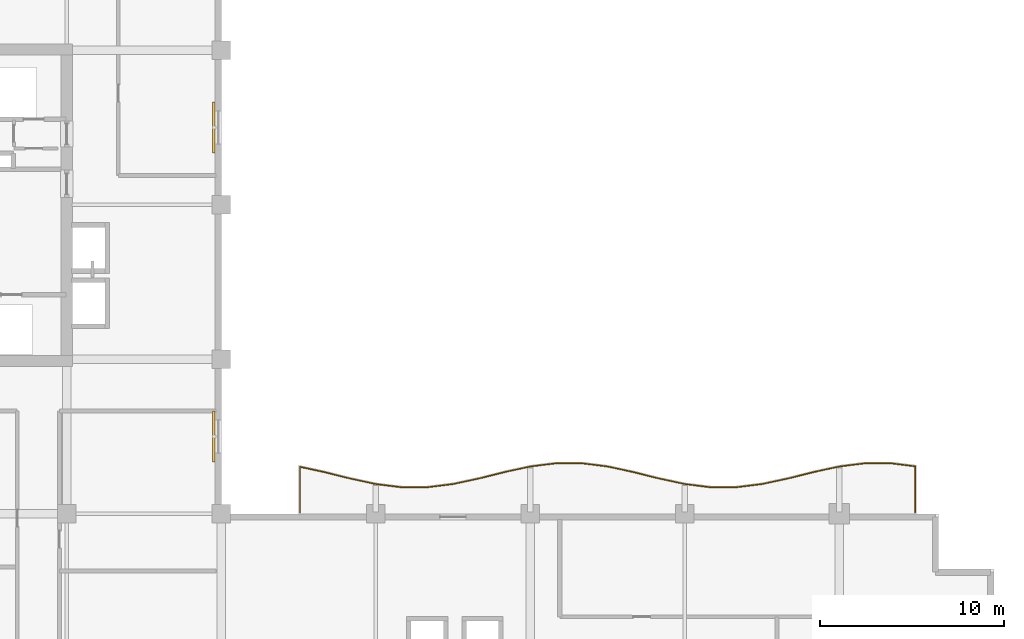
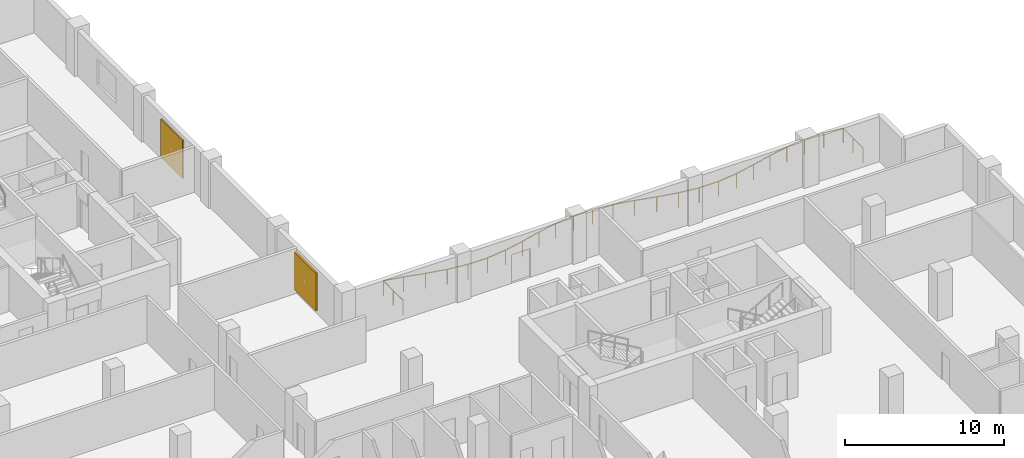
# One storey, part 14 of 14: 2 shading devices, 1 railing.
"""IFC4 building model written with IfcOpenShell, lengths in metres."""

import ifcopenshell
import ifcopenshell.guid

model = None  # the IFC model being written
_history = None  # IfcOwnerHistory: only IFC2X3 demands one
_inside = {}  # id of a spatial element -> (the spatial element, [elements in it])
_under = {}  # id of a project, library or spatial element -> (it, [spatial elements below it])
_declared = {}  # id of a project -> (the project, [libraries it declares])
_typed = {}  # id of a type object -> (the type object, [elements of that type])
_made_of = {}  # id of a material, layer set ... -> (it, [elements and type objects made of it])


def new_model(schema):
    """Start an empty IFC model of exactly this schema.

    Asked for "IFC4X3", IfcOpenShell would pick the latest addendum, in which some entities
    have other attributes; the version numbers below select the first issue.
    IFC2X3 requires an IfcOwnerHistory on every rooted entity: one is made here for all.
    """
    global model, _history
    if schema == "IFC4X3":
        model = ifcopenshell.file(schema_version=(4, 3, 0, 0))
    else:
        model = ifcopenshell.file(schema=schema)
    _inside.clear()
    _under.clear()
    _declared.clear()
    _typed.clear()
    _made_of.clear()
    _history = None
    if model.schema == "IFC2X3":
        org = make("IfcOrganization", Name="unknown")
        user = make(
            "IfcPersonAndOrganization",
            ThePerson=make("IfcPerson", FamilyName="unknown"),
            TheOrganization=org,
        )
        app = make(
            "IfcApplication",
            ApplicationDeveloper=org,
            Version="unknown",
            ApplicationFullName="unknown",
            ApplicationIdentifier="unknown",
        )
        _history = make(
            "IfcOwnerHistory",
            OwningUser=user,
            OwningApplication=app,
            ChangeAction="ADDED",
            CreationDate=0,
        )
    return model


def make(cls, **values):
    """One entity of the class cls with the attributes given. An attribute that is None is left unset."""
    return model.create_entity(
        cls, **{name: value for name, value in values.items() if value is not None}
    )


def rooted(cls, **values):
    """An entity with a GlobalId (a new one), such as an element, a storey or a relation."""
    return make(cls, GlobalId=ifcopenshell.guid.new(), OwnerHistory=_history, **values)


def si_unit(unit_type, name, prefix=None):
    """IfcSIUnit, for example si_unit("LENGTHUNIT", "METRE", prefix="MILLI")."""
    return make("IfcSIUnit", UnitType=unit_type, Prefix=prefix, Name=name)


def assignment(units):
    """IfcUnitAssignment: the units of a project."""
    return None if units is None else make("IfcUnitAssignment", Units=units)


def point(xyz):
    """IfcCartesianPoint."""
    return None if xyz is None else make("IfcCartesianPoint", Coordinates=xyz)


def direction(xyz):
    """IfcDirection."""
    return None if xyz is None else make("IfcDirection", DirectionRatios=xyz)


def frame(location, z_axis=None, x_axis=None):
    """IfcAxis2Placement3D, a coordinate frame: its origin and axes. An axis left out is left unset."""
    return make(
        "IfcAxis2Placement3D",
        Location=point(location),
        Axis=direction(z_axis),
        RefDirection=direction(x_axis),
    )


def frame_2d(location, x_axis=None):
    """IfcAxis2Placement2D, a coordinate frame in the plane: its origin and x axis."""
    return make(
        "IfcAxis2Placement2D", Location=point(location), RefDirection=direction(x_axis)
    )


def origin():
    """The frame at (0, 0, 0) with its axes left unset."""
    return frame((0.0, 0.0, 0.0))


def origin_2d():
    """The frame at (0, 0) in the plane with its x axis left unset."""
    return frame_2d((0.0, 0.0))


def place(relative_to, where):
    """IfcLocalPlacement: puts the frame where relative to a parent placement (None: the world)."""
    return make(
        "IfcLocalPlacement", PlacementRelTo=relative_to, RelativePlacement=where
    )


def context(
    kind, dimensions, precision=None, world=None, true_north=None, identifier=None
):
    """IfcGeometricRepresentationContext, for example the 3D "Model" context."""
    return make(
        "IfcGeometricRepresentationContext",
        ContextIdentifier=identifier,
        ContextType=kind,
        CoordinateSpaceDimension=dimensions,
        Precision=precision,
        WorldCoordinateSystem=world,
        TrueNorth=true_north,
    )


def subcontext(parent, identifier, kind, view, scale=None):
    """IfcGeometricRepresentationSubContext, for example "Body" below "Model"."""
    return make(
        "IfcGeometricRepresentationSubContext",
        ContextIdentifier=identifier,
        ContextType=kind,
        ParentContext=parent,
        TargetScale=scale,
        TargetView=view,
    )


def project(units=None, contexts=None):
    """IfcProject with its units and contexts."""
    return rooted(
        "IfcProject",
        Name="project",
        RepresentationContexts=contexts,
        UnitsInContext=assignment(units),
    )


def spatial(cls, under=None, at=None, **own):
    """A site, building, storey or space (cls), placed at a placement, below another one or the project."""
    s = rooted(cls, ObjectPlacement=at, **own)
    if under is not None:
        _under.setdefault(under.id(), (under, []))[1].append(s)
    return s


def profile(cls, at=None, kind="AREA", **sizes):
    """A parametric profile (cls). Its sizes go by their IFC names, for example OverallWidth=200.0."""
    return make(cls, ProfileType=kind, Position=at, **sizes)


def rectangle(**sizes):
    """IfcRectangleProfileDef."""
    return profile("IfcRectangleProfileDef", **sizes)


def circle(**sizes):
    """IfcCircleProfileDef."""
    return profile("IfcCircleProfileDef", **sizes)


def extrude(swept, where, along, depth):
    """IfcExtrudedAreaSolid: the profile swept, set in the frame where, extruded along a direction by depth."""
    return make(
        "IfcExtrudedAreaSolid",
        SweptArea=swept,
        Position=where,
        ExtrudedDirection=direction(along),
        Depth=depth,
    )


def shape(context_of_items, identifier, shape_type, items):
    """IfcShapeRepresentation: the items that make up one representation, for example the "Body"."""
    return make(
        "IfcShapeRepresentation",
        ContextOfItems=context_of_items,
        RepresentationIdentifier=identifier,
        RepresentationType=shape_type,
        Items=items,
    )


def material(Name=None, Category=None):
    """IfcMaterial."""
    return make("IfcMaterial", Name=Name, Category=Category)


def layer(
    of_material, thickness, ventilated=None, Name=None, Category=None, Priority=None
):
    """IfcMaterialLayer: one layer of a wall or slab, of a material (None: an air gap)."""
    return make(
        "IfcMaterialLayer",
        Material=of_material,
        LayerThickness=thickness,
        IsVentilated=ventilated,
        Name=Name,
        Category=Category,
        Priority=Priority,
    )


def layer_set(layers, Name=None):
    """IfcMaterialLayerSet."""
    return make("IfcMaterialLayerSet", MaterialLayers=layers, LayerSetName=Name)


def made_of(thing, what):
    """Note that an element or type object is made of a material, layer set ...; save() writes the relation."""
    if what is not None:
        _made_of.setdefault(what.id(), (what, []))[1].append(thing)
    return thing


def type_object(cls, material=None, **own):
    """A type object (cls), such as IfcWallType, which elements share."""
    return made_of(rooted(cls, **own), material)


def element(
    cls,
    number,
    at=None,
    inside=None,
    cuts=None,
    type_object=None,
    material=None,
    context=None,
    identifier="Body",
    shape_type=None,
    held_by="IfcProductDefinitionShape",
    body=None,
    shapes=None,
    **own,
):
    """One element of the class cls, such as IfcWall. Its Tag is "e" and its number.

    at: its placement. inside: the storey or other place that contains it. cuts: it is an
    opening in that element (IfcRelVoidsElement). A single representation is given by context,
    identifier, shape_type and body (its items); several are given by shapes. held_by: the class
    of the entity that holds the representations. save() writes the other relations.
    """
    e = rooted(cls, Tag="e%d" % number, ObjectPlacement=at, **own)
    if body is not None:
        shapes = [shape(context, identifier, shape_type, body)]
    if shapes is not None:
        e.Representation = make(held_by, Representations=shapes)
    if inside is not None:
        _inside.setdefault(inside.id(), (inside, []))[1].append(e)
    if cuts is not None:
        rooted(
            "IfcRelVoidsElement", RelatingBuildingElement=cuts, RelatedOpeningElement=e
        )
    if type_object is not None:
        _typed.setdefault(type_object.id(), (type_object, []))[1].append(e)
    return made_of(e, material)


def aggregate(whole, parts):
    """IfcRelAggregates: a whole, such as a stair, and the parts it consists of."""
    return rooted("IfcRelAggregates", RelatingObject=whole, RelatedObjects=parts)


def save(model, path):
    """Write the relations noted so far, then the file.

    IfcRelAggregates (storeys below a building ...), IfcRelContainedInSpatialStructure (elements
    in a storey), IfcRelDefinesByType, IfcRelAssociatesMaterial and IfcRelDeclares: one each for
    every whole, place, type object, material and project.
    """
    for whole, parts in _under.values():
        aggregate(whole, parts)
    for where, things in _inside.values():
        rooted(
            "IfcRelContainedInSpatialStructure",
            RelatedElements=things,
            RelatingStructure=where,
        )
    for kind, things in _typed.values():
        rooted("IfcRelDefinesByType", RelatedObjects=things, RelatingType=kind)
    for what, things in _made_of.values():
        rooted("IfcRelAssociatesMaterial", RelatedObjects=things, RelatingMaterial=what)
    for by, libraries in _declared.values():
        rooted("IfcRelDeclares", RelatingContext=by, RelatedDefinitions=libraries)
    model.write(path)


model = new_model("IFC4")

# Units and contexts
model_context = context("Model", 3, precision=1e-05, world=origin(), true_north=direction((0.0, 1.0)))
body_context = subcontext(model_context, "Body", "Model", "MODEL_VIEW")
ifc_project = project(units=[si_unit("LENGTHUNIT", "METRE"), si_unit("AREAUNIT", "SQUARE_METRE"), si_unit("VOLUMEUNIT", "CUBIC_METRE"), si_unit("PLANEANGLEUNIT", "RADIAN"), si_unit("MASSUNIT", "GRAM", prefix="KILO")], contexts=[model_context])

# Site, building, storey
site_placement = place(None, origin())
site = spatial("IfcSite", under=ifc_project, at=site_placement, CompositionType="ELEMENT")
building_placement = place(site_placement, origin())
building = spatial("IfcBuilding", under=site, at=building_placement, Name="Koriwani Terraces Tower", CompositionType="ELEMENT")
storey_placement = place(building_placement, frame((0.0, 0.0, 201.300048828125)))
storey = spatial("IfcBuildingStorey", under=building, at=storey_placement, Name="L49", CompositionType="ELEMENT", Elevation=201.300048828125)

# Railing
ifc_material_1 = material(Name="Steel ASTM A572 Grade 50", Category="steel")
railing_type = type_object("IfcRailingType", Name="GUARD_BALUSTRADE_1150", PredefinedType="BALUSTRADE", material=ifc_material_1)
railing_placement = place(storey_placement, frame((71.320068359375, 33.679931640625, 0.0)))
element("IfcRailing", 1, at=railing_placement, inside=storey, type_object=railing_type, Name="L49 Balcony Perimeter Safety Balustrade (NE)", PredefinedType="BALUSTRADE", context=body_context, shape_type="SweptSolid", body=[
    extrude(circle(Radius=0.02392578125, at=origin_2d()), frame((0.0, 0.0, 1.1259765625), z_axis=(0.0, 1.0, 0.0), x_axis=(-1.0, 0.0, 0.0)), (0.0, 0.0, 1.0), 2.501708984375),
    extrude(circle(Radius=0.02392578125, at=origin_2d()), frame((0.0, 2.501708984375, 1.1259765625), z_axis=(-0.992308789115, 0.123787184491, 0.0), x_axis=(-0.123787184491, -0.992308789115, 0.0)), (0.0, 0.0, 1.0), 1.335205078125),
    extrude(circle(Radius=0.02392578125, at=origin_2d()), frame((-1.324951171875, 2.6669921875, 1.1259765625), z_axis=(-1.0, 0.0, 0.0), x_axis=(0.0, -1.0, 0.0)), (0.0, 0.0, 1.0), 1.39013671875),
    extrude(circle(Radius=0.02392578125, at=origin_2d()), frame((-2.715087890625, 2.6669921875, 1.1259765625), z_axis=(-0.992309982997, -0.123777613669, 0.0), x_axis=(0.123777613669, -0.992309982997, 0.0)), (0.0, 0.0, 1.0), 1.40234375),
    extrude(circle(Radius=0.02392578125, at=origin_2d()), frame((-4.106689453125, 2.493408203125, 1.1259765625), z_axis=(-0.977438029446, -0.211222391315, 0.0), x_axis=(0.211222391315, -0.977438029446, 0.0)), (0.0, 0.0, 1.0), 1.427490234375),
    extrude(circle(Radius=0.02392578125, at=origin_2d()), frame((-5.501953125, 2.19189453125, 1.1259765625), z_axis=(-0.970241952903, -0.242137466795, 0.0), x_axis=(0.242137466795, -0.970241952903, 0.0)), (0.0, 0.0, 1.0), 1.44287109375),
    extrude(circle(Radius=0.02392578125, at=origin_2d()), frame((-6.90185546875, 1.842529296875, 1.1259765625), z_axis=(-0.977453031353, -0.21115295759, 0.0), x_axis=(0.21115295759, -0.977453031353, 0.0)), (0.0, 0.0, 1.0), 1.437255859375),
    extrude(circle(Radius=0.02392578125, at=origin_2d()), frame((-8.306640625, 1.5390625, 1.1259765625), z_axis=(-0.992301674614, -0.12384420276, 0.0), x_axis=(0.12384420276, -0.992301674614, 0.0)), (0.0, 0.0, 1.0), 1.41943359375),
    extrude(circle(Radius=0.02392578125, at=origin_2d()), frame((-9.715087890625, 1.36328125, 1.1259765625), z_axis=(-1.0, 0.0, 0.0), x_axis=(0.0, -1.0, 0.0)), (0.0, 0.0, 1.0), 1.409912109375),
    extrude(circle(Radius=0.02392578125, at=origin_2d()), frame((-11.125, 1.36328125, 1.1259765625), z_axis=(-0.992301674614, 0.12384420276, 0.0), x_axis=(-0.12384420276, -0.992301674614, 0.0)), (0.0, 0.0, 1.0), 1.41943359375),
    extrude(circle(Radius=0.02392578125, at=origin_2d()), frame((-12.533447265625, 1.5390625, 1.1259765625), z_axis=(-0.977453031353, 0.21115295759, 0.0), x_axis=(-0.21115295759, -0.977453031353, 0.0)), (0.0, 0.0, 1.0), 1.437255859375),
    extrude(circle(Radius=0.02392578125, at=origin_2d()), frame((-13.938232421875, 1.842529296875, 1.1259765625), z_axis=(-0.970241952903, 0.242137466795, 0.0), x_axis=(-0.242137466795, -0.970241952903, 0.0)), (0.0, 0.0, 1.0), 1.44287109375),
    extrude(circle(Radius=0.02392578125, at=origin_2d()), frame((-15.338134765625, 2.19189453125, 1.1259765625), z_axis=(-0.977438029446, 0.211222391315, 0.0), x_axis=(-0.211222391315, -0.977438029446, 0.0)), (0.0, 0.0, 1.0), 1.427490234375),
    extrude(circle(Radius=0.02392578125, at=origin_2d()), frame((-16.7333984375, 2.493408203125, 1.1259765625), z_axis=(-0.992309982997, 0.123777613669, 0.0), x_axis=(-0.123777613669, -0.992309982997, 0.0)), (0.0, 0.0, 1.0), 1.40234375),
    extrude(circle(Radius=0.02392578125, at=origin_2d()), frame((-18.125, 2.6669921875, 1.1259765625), z_axis=(-1.0, 0.0, 0.0), x_axis=(0.0, -1.0, 0.0)), (0.0, 0.0, 1.0), 1.39013671875),
    extrude(circle(Radius=0.02392578125, at=origin_2d()), frame((-19.51513671875, 2.6669921875, 1.1259765625), z_axis=(-0.992309982997, -0.123777613669, 0.0), x_axis=(0.123777613669, -0.992309982997, 0.0)), (0.0, 0.0, 1.0), 1.40234375),
    extrude(circle(Radius=0.02392578125, at=origin_2d()), frame((-20.90673828125, 2.493408203125, 1.1259765625), z_axis=(-0.977438029446, -0.211222391315, 0.0), x_axis=(0.211222391315, -0.977438029446, 0.0)), (0.0, 0.0, 1.0), 1.427490234375),
    extrude(circle(Radius=0.02392578125, at=origin_2d()), frame((-22.302001953125, 2.19189453125, 1.1259765625), z_axis=(-0.970241952903, -0.242137466795, 0.0), x_axis=(0.242137466795, -0.970241952903, 0.0)), (0.0, 0.0, 1.0), 1.44287109375),
    extrude(circle(Radius=0.02392578125, at=origin_2d()), frame((-23.701904296875, 1.842529296875, 1.1259765625), z_axis=(-0.977453031353, -0.21115295759, 0.0), x_axis=(0.21115295759, -0.977453031353, 0.0)), (0.0, 0.0, 1.0), 1.437255859375),
    extrude(circle(Radius=0.02392578125, at=origin_2d()), frame((-25.106689453125, 1.5390625, 1.1259765625), z_axis=(-0.992301674614, -0.12384420276, 0.0), x_axis=(0.12384420276, -0.992301674614, 0.0)), (0.0, 0.0, 1.0), 1.41943359375),
    extrude(circle(Radius=0.02392578125, at=origin_2d()), frame((-26.51513671875, 1.36328125, 1.1259765625), z_axis=(-1.0, 0.0, 0.0), x_axis=(0.0, -1.0, 0.0)), (0.0, 0.0, 1.0), 1.409912109375),
    extrude(circle(Radius=0.02392578125, at=origin_2d()), frame((-27.925048828125, 1.36328125, 1.1259765625), z_axis=(-0.992301674614, 0.12384420276, 0.0), x_axis=(-0.12384420276, -0.992301674614, 0.0)), (0.0, 0.0, 1.0), 1.41943359375),
    extrude(circle(Radius=0.02392578125, at=origin_2d()), frame((-29.33349609375, 1.5390625, 1.1259765625), z_axis=(-0.977453031353, 0.21115295759, 0.0), x_axis=(-0.21115295759, -0.977453031353, 0.0)), (0.0, 0.0, 1.0), 1.437255859375),
    extrude(circle(Radius=0.02392578125, at=origin_2d()), frame((-30.73828125, 1.842529296875, 1.1259765625), z_axis=(-0.970241952903, 0.242137466795, 0.0), x_axis=(-0.242137466795, -0.970241952903, 0.0)), (0.0, 0.0, 1.0), 1.44287109375),
    extrude(circle(Radius=0.02392578125, at=origin_2d()), frame((-32.13818359375, 2.19189453125, 1.1259765625), z_axis=(-0.977417234878, 0.211318595877, 0.0), x_axis=(-0.211318595877, -0.977417234878, 0.0)), (0.0, 0.0, 1.0), 1.33203125),
    extrude(circle(Radius=0.02392578125, at=origin_2d()), frame((-33.440185546875, 2.473388671875, 1.1259765625), z_axis=(0.0, -1.0, 0.0), x_axis=(1.0, 0.0, 0.0)), (0.0, 0.0, 1.0), 2.473388671875),
    extrude(circle(Radius=0.02099609375, at=origin_2d()), origin(), (0.0, 0.0, 1.0), 1.101806640625),
    extrude(circle(Radius=0.02099609375, at=origin_2d()), frame((0.0, 1.2509765625, 0.0)), (0.0, 0.0, 1.0), 1.101806640625),
    extrude(circle(Radius=0.02099609375, at=origin_2d()), frame((0.0, 2.501708984375, 0.0)), (0.0, 0.0, 1.0), 1.101806640625),
    extrude(circle(Radius=0.02099609375, at=origin_2d()), frame((-1.324951171875, 2.6669921875, 0.0)), (0.0, 0.0, 1.0), 1.101806640625),
    extrude(circle(Radius=0.02099609375, at=origin_2d()), frame((-2.715087890625, 2.6669921875, 0.0)), (0.0, 0.0, 1.0), 1.101806640625),
    extrude(circle(Radius=0.02099609375, at=origin_2d()), frame((-4.106689453125, 2.493408203125, 0.0)), (0.0, 0.0, 1.0), 1.101806640625),
    extrude(circle(Radius=0.02099609375, at=origin_2d()), frame((-5.501953125, 2.19189453125, 0.0)), (0.0, 0.0, 1.0), 1.101806640625),
    extrude(circle(Radius=0.02099609375, at=origin_2d()), frame((-6.90185546875, 1.842529296875, 0.0)), (0.0, 0.0, 1.0), 1.101806640625),
    extrude(circle(Radius=0.02099609375, at=origin_2d()), frame((-8.306640625, 1.5390625, 0.0)), (0.0, 0.0, 1.0), 1.101806640625),
    extrude(circle(Radius=0.02099609375, at=origin_2d()), frame((-9.715087890625, 1.36328125, 0.0)), (0.0, 0.0, 1.0), 1.101806640625),
    extrude(circle(Radius=0.02099609375, at=origin_2d()), frame((-11.125, 1.36328125, 0.0)), (0.0, 0.0, 1.0), 1.101806640625),
    extrude(circle(Radius=0.02099609375, at=origin_2d()), frame((-12.533447265625, 1.5390625, 0.0)), (0.0, 0.0, 1.0), 1.101806640625),
    extrude(circle(Radius=0.02099609375, at=origin_2d()), frame((-13.938232421875, 1.842529296875, 0.0)), (0.0, 0.0, 1.0), 1.101806640625),
    extrude(circle(Radius=0.02099609375, at=origin_2d()), frame((-15.338134765625, 2.19189453125, 0.0)), (0.0, 0.0, 1.0), 1.101806640625),
    extrude(circle(Radius=0.02099609375, at=origin_2d()), frame((-16.7333984375, 2.493408203125, 0.0)), (0.0, 0.0, 1.0), 1.101806640625),
    extrude(circle(Radius=0.02099609375, at=origin_2d()), frame((-18.125, 2.6669921875, 0.0)), (0.0, 0.0, 1.0), 1.101806640625),
    extrude(circle(Radius=0.02099609375, at=origin_2d()), frame((-19.51513671875, 2.6669921875, 0.0)), (0.0, 0.0, 1.0), 1.101806640625),
    extrude(circle(Radius=0.02099609375, at=origin_2d()), frame((-20.90673828125, 2.493408203125, 0.0)), (0.0, 0.0, 1.0), 1.101806640625),
    extrude(circle(Radius=0.02099609375, at=origin_2d()), frame((-22.302001953125, 2.19189453125, 0.0)), (0.0, 0.0, 1.0), 1.101806640625),
    extrude(circle(Radius=0.02099609375, at=origin_2d()), frame((-23.701904296875, 1.842529296875, 0.0)), (0.0, 0.0, 1.0), 1.101806640625),
    extrude(circle(Radius=0.02099609375, at=origin_2d()), frame((-25.106689453125, 1.5390625, 0.0)), (0.0, 0.0, 1.0), 1.101806640625),
    extrude(circle(Radius=0.02099609375, at=origin_2d()), frame((-26.51513671875, 1.36328125, 0.0)), (0.0, 0.0, 1.0), 1.101806640625),
    extrude(circle(Radius=0.02099609375, at=origin_2d()), frame((-27.925048828125, 1.36328125, 0.0)), (0.0, 0.0, 1.0), 1.101806640625),
    extrude(circle(Radius=0.02099609375, at=origin_2d()), frame((-29.33349609375, 1.5390625, 0.0)), (0.0, 0.0, 1.0), 1.101806640625),
    extrude(circle(Radius=0.02099609375, at=origin_2d()), frame((-30.73828125, 1.842529296875, 0.0)), (0.0, 0.0, 1.0), 1.101806640625),
    extrude(circle(Radius=0.02099609375, at=origin_2d()), frame((-32.13818359375, 2.19189453125, 0.0)), (0.0, 0.0, 1.0), 1.101806640625),
    extrude(circle(Radius=0.02099609375, at=origin_2d()), frame((-33.440185546875, 2.473388671875, 0.0)), (0.0, 0.0, 1.0), 1.101806640625),
    extrude(circle(Radius=0.02099609375, at=origin_2d()), frame((-33.440185546875, 1.23681640625, 0.0)), (0.0, 0.0, 1.0), 1.101806640625),
    extrude(circle(Radius=0.02099609375, at=origin_2d()), frame((-33.440185546875, 0.0, 0.0)), (0.0, 0.0, 1.0), 1.101806640625),
])

# Shading devices
ifc_material_2 = material(Name="Extruded Terracotta Clay", Category="masonry")
ifc_layer = layer(ifc_material_2, 0.1201171875, Name="Extruded Terracotta Clay")
ifc_layer_set = layer_set([ifc_layer], Name="Extruded Terracotta Clay")
shading_device_type = type_object("IfcShadingDeviceType", Name="TERRACOTTA_BAGUETTE_SCREEN_2800", PredefinedType="USERDEFINED", material=ifc_layer_set)
for number, where, z_axis, x_axis, name in (
    (2, (33.195068359375, 37.800048828125, 0.284912109375), (0.0, 0.0, 1.0), (0.0, -1.0, 0.0), "L49 Extruded Terracotta Baguette Screen (NW_IN-2)"),
    (3, (33.195068359375, 54.60009765625, 0.284912109375), (0.0, 0.0, 1.0), (0.0, -1.0, 0.0), "L49 Extruded Terracotta Baguette Screen (NW_IN-8)"),
):
    element("IfcShadingDevice", number, at=place(storey_placement, frame(where, z_axis=z_axis, x_axis=x_axis)), inside=storey, type_object=shading_device_type, Name=name, ObjectType="BAGUETTE", PredefinedType="USERDEFINED", context=body_context, shape_type="SweptSolid", body=[
        extrude(rectangle(XDim=2.760009765625, YDim=0.1201171875, at=origin_2d()), origin(), (0.0, 0.0, 1.0), 2.89990234375),
    ])

save(model, "model.ifc")
